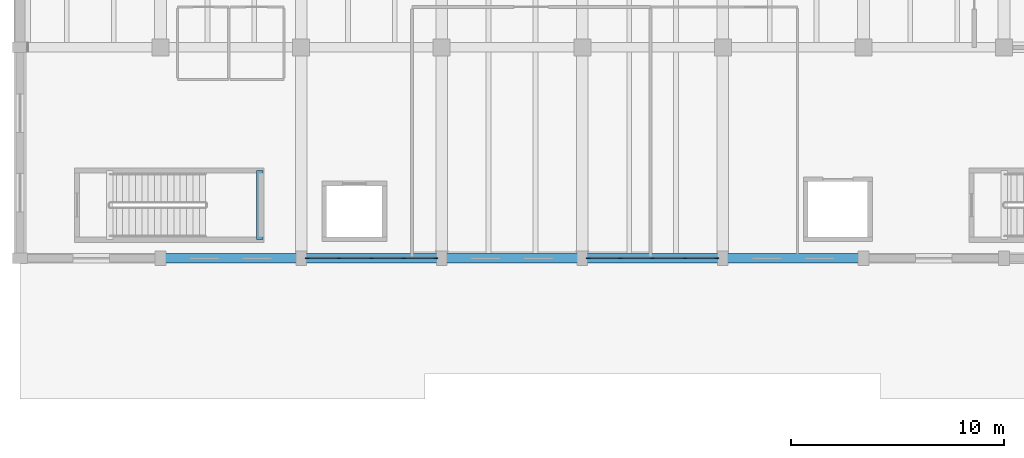
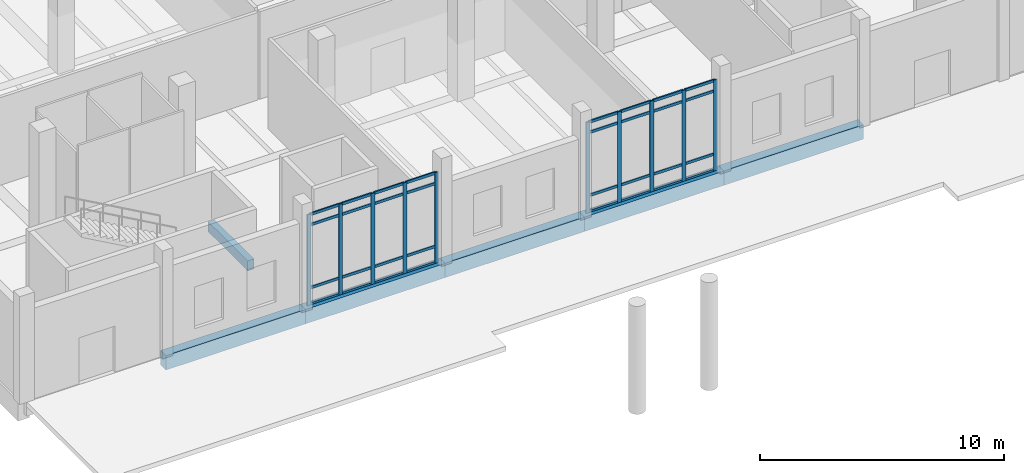
# One storey, part 27 of 72: 42 members, 6 beams, 2 elements without a shape of their own.
"""IFC4 building model written with IfcOpenShell, lengths in metres."""

from ifc_helpers import new_model, si_unit, direction, frame, origin, origin_2d, place, context, subcontext, project, spatial, rectangle, extrude, material, material_profile, profile_set, type_object, element, aggregate, save


model = new_model("IFC4")

# Units and contexts
model_context = context("Model", 3, precision=1e-05, world=origin(), true_north=direction((0.0, 1.0)))
body_context = subcontext(model_context, "Body", "Model", "MODEL_VIEW")
ifc_project = project(units=[si_unit("LENGTHUNIT", "METRE"), si_unit("AREAUNIT", "SQUARE_METRE"), si_unit("VOLUMEUNIT", "CUBIC_METRE"), si_unit("PLANEANGLEUNIT", "RADIAN"), si_unit("MASSUNIT", "GRAM", prefix="KILO")], contexts=[model_context])

# Site, building, storey
site_placement = place(None, origin())
site = spatial("IfcSite", under=ifc_project, at=site_placement, CompositionType="ELEMENT")
building_placement = place(site_placement, origin())
building = spatial("IfcBuilding", under=site, at=building_placement, Name="Dornvale Research Institute", CompositionType="ELEMENT")
storey_placement = place(building_placement, origin())
storey = spatial("IfcBuildingStorey", under=building, at=storey_placement, Name="L00", CompositionType="ELEMENT", Elevation=0.0)

# Beams
ifc_material_1 = material(Name="Concrete f'c 45 MPa (C35/45)", Category="concrete")
ifc_material_profile_1 = material_profile(ifc_material_1, rectangle(XDim=0.300048828125, YDim=0.5, at=origin_2d()), Name="RC 300x500")
ifc_profile_set_1 = profile_set([ifc_material_profile_1], Name="Concrete f'c 45 MPa (C35/45)")
beam_type_1 = type_object("IfcBeamType", Name="Beam_RC300x500_Trim", PredefinedType="BEAM", material=ifc_profile_set_1)
beam_1_placement = place(storey_placement, frame((130.050048828125, 93.280029296875, 2.25), z_axis=(0.0, 1.0, 0.0), x_axis=(-1.0, 0.0, 0.0)))
element("IfcBeam", 1, at=beam_1_placement, inside=storey, type_object=beam_type_1, Name="L00 ST-3 half-landing support beam #56", PredefinedType="BEAM", context=body_context, shape_type="SweptSolid", body=[
    extrude(rectangle(XDim=0.300048828125, YDim=0.5, at=origin_2d()), origin(), (0.0, 0.0, 1.0), 3.239990234375),
])
ifc_material_2 = material(Name="Concrete f'c 45 MPa (C35/45)", Category="concrete")
ifc_material_profile_2 = material_profile(ifc_material_2, rectangle(XDim=0.449951171875, YDim=0.715087890625, at=origin_2d()), Name="RC 450x715")
ifc_profile_set_2 = profile_set([ifc_material_profile_2], Name="Concrete f'c 45 MPa (C35/45)")
beam_type_2 = type_object("IfcBeamType", Name="Beam_RC450x715_Lab", PredefinedType="BEAM", material=ifc_profile_set_2)
for number, where, z_axis, x_axis, name in (
    (2, (125.39990234375, 92.39990234375, -0.357421875), (1.0, 0.0, 0.0), (0.0, 1.0, 0.0), "L00 primary girder #69"),
    (3, (132.0, 92.39990234375, -0.357421875), (1.0, 0.0, 0.0), (0.0, 1.0, 0.0), "L00 primary girder #70"),
):
    element("IfcBeam", number, at=place(storey_placement, frame(where, z_axis=z_axis, x_axis=x_axis)), inside=storey, type_object=beam_type_2, Name=name, PredefinedType="BEAM", context=body_context, shape_type="SweptSolid", body=[
        extrude(rectangle(XDim=0.449951171875, YDim=0.715087890625, at=origin_2d()), origin(), (0.0, 0.0, 1.0), 6.60009765625),
    ])
beam_2_placement = place(storey_placement, frame((138.60009765625, 92.39990234375, -0.357421875), z_axis=(1.0, 0.0, 0.0), x_axis=(0.0, 1.0, 0.0)))
element("IfcBeam", 4, at=beam_2_placement, inside=storey, type_object=beam_type_2, Name="L00 primary girder #71", PredefinedType="BEAM", context=body_context, shape_type="SweptSolid", body=[
    extrude(rectangle(XDim=0.449951171875, YDim=0.715087890625, at=origin_2d()), origin(), (0.0, 0.0, 1.0), 6.599853515625),
])
beam_3_placement = place(storey_placement, frame((145.199951171875, 92.39990234375, -0.357421875), z_axis=(1.0, 0.0, 0.0), x_axis=(0.0, 1.0, 0.0)))
element("IfcBeam", 5, at=beam_3_placement, inside=storey, type_object=beam_type_2, Name="L00 primary girder #72", PredefinedType="BEAM", context=body_context, shape_type="SweptSolid", body=[
    extrude(rectangle(XDim=0.449951171875, YDim=0.715087890625, at=origin_2d()), origin(), (0.0, 0.0, 1.0), 6.60009765625),
])
beam_4_placement = place(storey_placement, frame((151.800048828125, 92.39990234375, -0.357421875), z_axis=(1.0, 0.0, 0.0), x_axis=(0.0, 1.0, 0.0)))
element("IfcBeam", 6, at=beam_4_placement, inside=storey, type_object=beam_type_2, Name="L00 primary girder #73", PredefinedType="BEAM", context=body_context, shape_type="SweptSolid", body=[
    extrude(rectangle(XDim=0.449951171875, YDim=0.715087890625, at=origin_2d()), origin(), (0.0, 0.0, 1.0), 6.599853515625),
])

# Curtain wall, members
ifc_material_3 = material(Name="Low-E Argon Double Insulating Glazing Unit", Category="glass")
curtain_wall_type = type_object("IfcCurtainWallType", Name="UnitisedCurtainWall_V4_6100x4550", PredefinedType="USERDEFINED", material=ifc_material_3)
curtain_wall_1_placement = place(storey_placement, origin())
curtain_wall_1 = element("IfcCurtainWall", 7, at=curtain_wall_1_placement, inside=storey, type_object=curtain_wall_type, Name="L00 V4 unitised curtain wall CW-08 #71", ObjectType="UNITISED CURTAIN WALL", PredefinedType="USERDEFINED")
ifc_material_4 = material(Name="Anodized Aluminum AA 6063-T6 Thermally Broken Frame", Category="aluminium")
ifc_material_profile_3 = material_profile(ifc_material_4, rectangle(XDim=0.06494140625, YDim=0.179931640625, at=origin_2d()), Name="ALU MULLION 65x180")
ifc_profile_set_3 = profile_set([ifc_material_profile_3], Name="Anodized Aluminum AA 6063-T6 Thermally Broken Frame")
member_type_1 = type_object("IfcMemberType", Name="Mullion_CW_65x180", PredefinedType="MULLION", material=ifc_profile_set_3)
member_1_placement = place(storey_placement, frame((151.517578125, 92.39990234375, 0.0), z_axis=(0.0, 0.0, 1.0), x_axis=(0.0, -1.0, 0.0)))
member_1 = element("IfcMember", 8, at=member_1_placement, type_object=member_type_1, Name="CW-08 mullion 1", PredefinedType="MULLION", context=body_context, shape_type="SweptSolid", body=[
    extrude(rectangle(XDim=0.06494140625, YDim=0.179931640625, at=origin_2d()), origin(), (0.0, 0.0, 1.0), 4.550048828125),
])
member_2_placement = place(storey_placement, frame((150.02490234375, 92.39990234375, 0.0), z_axis=(0.0, 0.0, 1.0), x_axis=(0.0, -1.0, 0.0)))
member_2 = element("IfcMember", 9, at=member_2_placement, type_object=member_type_1, Name="CW-08 mullion 2", PredefinedType="MULLION", context=body_context, shape_type="SweptSolid", body=[
    extrude(rectangle(XDim=0.06494140625, YDim=0.179931640625, at=origin_2d()), origin(), (0.0, 0.0, 1.0), 4.550048828125),
])
member_3_placement = place(storey_placement, frame((148.5, 92.39990234375, 0.0), z_axis=(0.0, 0.0, 1.0), x_axis=(0.0, -1.0, 0.0)))
member_3 = element("IfcMember", 10, at=member_3_placement, type_object=member_type_1, Name="CW-08 mullion 3", PredefinedType="MULLION", context=body_context, shape_type="SweptSolid", body=[
    extrude(rectangle(XDim=0.06494140625, YDim=0.179931640625, at=origin_2d()), origin(), (0.0, 0.0, 1.0), 4.550048828125),
])
member_4_placement = place(storey_placement, frame((146.97509765625, 92.39990234375, 0.0), z_axis=(0.0, 0.0, 1.0), x_axis=(0.0, -1.0, 0.0)))
member_4 = element("IfcMember", 11, at=member_4_placement, type_object=member_type_1, Name="CW-08 mullion 4", PredefinedType="MULLION", context=body_context, shape_type="SweptSolid", body=[
    extrude(rectangle(XDim=0.06494140625, YDim=0.179931640625, at=origin_2d()), origin(), (0.0, 0.0, 1.0), 4.550048828125),
])
member_5_placement = place(storey_placement, frame((145.482421875, 92.39990234375, 0.0), z_axis=(0.0, 0.0, 1.0), x_axis=(0.0, -1.0, 0.0)))
member_5 = element("IfcMember", 12, at=member_5_placement, type_object=member_type_1, Name="CW-08 mullion 5", PredefinedType="MULLION", context=body_context, shape_type="SweptSolid", body=[
    extrude(rectangle(XDim=0.06494140625, YDim=0.179931640625, at=origin_2d()), origin(), (0.0, 0.0, 1.0), 4.550048828125),
])

curtain_wall_2_placement = place(storey_placement, origin())
curtain_wall_2 = element("IfcCurtainWall", 13, at=curtain_wall_2_placement, inside=storey, type_object=curtain_wall_type, Name="L00 V4 unitised curtain wall CW-08 #72", ObjectType="UNITISED CURTAIN WALL", PredefinedType="USERDEFINED")
member_6_placement = place(storey_placement, frame((138.3173828125, 92.39990234375, 0.0), z_axis=(0.0, 0.0, 1.0), x_axis=(0.0, -1.0, 0.0)))
member_6 = element("IfcMember", 14, at=member_6_placement, type_object=member_type_1, Name="CW-08 mullion 1", PredefinedType="MULLION", context=body_context, shape_type="SweptSolid", body=[
    extrude(rectangle(XDim=0.06494140625, YDim=0.179931640625, at=origin_2d()), origin(), (0.0, 0.0, 1.0), 4.550048828125),
])
member_7_placement = place(storey_placement, frame((136.824951171875, 92.39990234375, 0.0), z_axis=(0.0, 0.0, 1.0), x_axis=(0.0, -1.0, 0.0)))
member_7 = element("IfcMember", 15, at=member_7_placement, type_object=member_type_1, Name="CW-08 mullion 2", PredefinedType="MULLION", context=body_context, shape_type="SweptSolid", body=[
    extrude(rectangle(XDim=0.06494140625, YDim=0.179931640625, at=origin_2d()), origin(), (0.0, 0.0, 1.0), 4.550048828125),
])
member_8_placement = place(storey_placement, frame((135.300048828125, 92.39990234375, 0.0), z_axis=(0.0, 0.0, 1.0), x_axis=(0.0, -1.0, 0.0)))
member_8 = element("IfcMember", 16, at=member_8_placement, type_object=member_type_1, Name="CW-08 mullion 3", PredefinedType="MULLION", context=body_context, shape_type="SweptSolid", body=[
    extrude(rectangle(XDim=0.06494140625, YDim=0.179931640625, at=origin_2d()), origin(), (0.0, 0.0, 1.0), 4.550048828125),
])
member_9_placement = place(storey_placement, frame((133.77490234375, 92.39990234375, 0.0), z_axis=(0.0, 0.0, 1.0), x_axis=(0.0, -1.0, 0.0)))
member_9 = element("IfcMember", 17, at=member_9_placement, type_object=member_type_1, Name="CW-08 mullion 4", PredefinedType="MULLION", context=body_context, shape_type="SweptSolid", body=[
    extrude(rectangle(XDim=0.06494140625, YDim=0.179931640625, at=origin_2d()), origin(), (0.0, 0.0, 1.0), 4.550048828125),
])
member_10_placement = place(storey_placement, frame((132.282470703125, 92.39990234375, 0.0), z_axis=(0.0, 0.0, 1.0), x_axis=(0.0, -1.0, 0.0)))
member_10 = element("IfcMember", 18, at=member_10_placement, type_object=member_type_1, Name="CW-08 mullion 5", PredefinedType="MULLION", context=body_context, shape_type="SweptSolid", body=[
    extrude(rectangle(XDim=0.06494140625, YDim=0.179931640625, at=origin_2d()), origin(), (0.0, 0.0, 1.0), 4.550048828125),
])

# Member
ifc_material_5 = material(Name="Anodized Aluminum AA 6063-T6 Thermally Broken Frame", Category="aluminium")
ifc_material_profile_4 = material_profile(ifc_material_5, rectangle(XDim=0.06494140625, YDim=0.135009765625, at=origin_2d()), Name="ALU TRANSOM 65x135")
ifc_profile_set_4 = profile_set([ifc_material_profile_4], Name="Anodized Aluminum AA 6063-T6 Thermally Broken Frame")
member_type_2 = type_object("IfcMemberType", Name="Transom_CW_65x135", PredefinedType="USERDEFINED", material=ifc_profile_set_4)
member_11_placement = place(storey_placement, frame((151.485107421875, 92.39990234375, 0.032470703125), z_axis=(-1.0, 0.0, 0.0), x_axis=(0.0, -1.0, 0.0)))
member_11 = element("IfcMember", 19, at=member_11_placement, type_object=member_type_2, Name="CW-08 transom 1.1", ObjectType="TRANSOM", PredefinedType="USERDEFINED", context=body_context, shape_type="SweptSolid", body=[
    extrude(rectangle(XDim=0.06494140625, YDim=0.135009765625, at=origin_2d()), origin(), (0.0, 0.0, 1.0), 1.427490234375),
])

member_12_placement = place(storey_placement, frame((151.485107421875, 92.39990234375, 0.85009765625), z_axis=(-1.0, 0.0, 0.0), x_axis=(0.0, -1.0, 0.0)))
member_12 = element("IfcMember", 20, at=member_12_placement, type_object=member_type_2, Name="CW-08 transom 1.2", ObjectType="TRANSOM", PredefinedType="USERDEFINED", context=body_context, shape_type="SweptSolid", body=[
    extrude(rectangle(XDim=0.06494140625, YDim=0.135009765625, at=origin_2d()), origin(), (0.0, 0.0, 1.0), 1.427490234375),
])

member_13_placement = place(storey_placement, frame((151.485107421875, 92.39990234375, 4.0), z_axis=(-1.0, 0.0, 0.0), x_axis=(0.0, -1.0, 0.0)))
member_13 = element("IfcMember", 21, at=member_13_placement, type_object=member_type_2, Name="CW-08 transom 1.3", ObjectType="TRANSOM", PredefinedType="USERDEFINED", context=body_context, shape_type="SweptSolid", body=[
    extrude(rectangle(XDim=0.06494140625, YDim=0.135009765625, at=origin_2d()), origin(), (0.0, 0.0, 1.0), 1.427490234375),
])

member_14_placement = place(storey_placement, frame((151.485107421875, 92.39990234375, 4.517578125), z_axis=(-1.0, 0.0, 0.0), x_axis=(0.0, -1.0, 0.0)))
member_14 = element("IfcMember", 22, at=member_14_placement, type_object=member_type_2, Name="CW-08 transom 1.4", ObjectType="TRANSOM", PredefinedType="USERDEFINED", context=body_context, shape_type="SweptSolid", body=[
    extrude(rectangle(XDim=0.06494140625, YDim=0.135009765625, at=origin_2d()), origin(), (0.0, 0.0, 1.0), 1.427490234375),
])

member_15_placement = place(storey_placement, frame((149.992431640625, 92.39990234375, 0.032470703125), z_axis=(-1.0, 0.0, 0.0), x_axis=(0.0, -1.0, 0.0)))
member_15 = element("IfcMember", 23, at=member_15_placement, type_object=member_type_2, Name="CW-08 transom 2.1", ObjectType="TRANSOM", PredefinedType="USERDEFINED", context=body_context, shape_type="SweptSolid", body=[
    extrude(rectangle(XDim=0.06494140625, YDim=0.135009765625, at=origin_2d()), origin(), (0.0, 0.0, 1.0), 1.4599609375),
])

member_16_placement = place(storey_placement, frame((149.992431640625, 92.39990234375, 0.85009765625), z_axis=(-1.0, 0.0, 0.0), x_axis=(0.0, -1.0, 0.0)))
member_16 = element("IfcMember", 24, at=member_16_placement, type_object=member_type_2, Name="CW-08 transom 2.2", ObjectType="TRANSOM", PredefinedType="USERDEFINED", context=body_context, shape_type="SweptSolid", body=[
    extrude(rectangle(XDim=0.06494140625, YDim=0.135009765625, at=origin_2d()), origin(), (0.0, 0.0, 1.0), 1.4599609375),
])

member_17_placement = place(storey_placement, frame((149.992431640625, 92.39990234375, 4.0), z_axis=(-1.0, 0.0, 0.0), x_axis=(0.0, -1.0, 0.0)))
member_17 = element("IfcMember", 25, at=member_17_placement, type_object=member_type_2, Name="CW-08 transom 2.3", ObjectType="TRANSOM", PredefinedType="USERDEFINED", context=body_context, shape_type="SweptSolid", body=[
    extrude(rectangle(XDim=0.06494140625, YDim=0.135009765625, at=origin_2d()), origin(), (0.0, 0.0, 1.0), 1.4599609375),
])

member_18_placement = place(storey_placement, frame((149.992431640625, 92.39990234375, 4.517578125), z_axis=(-1.0, 0.0, 0.0), x_axis=(0.0, -1.0, 0.0)))
member_18 = element("IfcMember", 26, at=member_18_placement, type_object=member_type_2, Name="CW-08 transom 2.4", ObjectType="TRANSOM", PredefinedType="USERDEFINED", context=body_context, shape_type="SweptSolid", body=[
    extrude(rectangle(XDim=0.06494140625, YDim=0.135009765625, at=origin_2d()), origin(), (0.0, 0.0, 1.0), 1.4599609375),
])

member_19_placement = place(storey_placement, frame((148.467529296875, 92.39990234375, 0.032470703125), z_axis=(-1.0, 0.0, 0.0), x_axis=(0.0, -1.0, 0.0)))
member_19 = element("IfcMember", 27, at=member_19_placement, type_object=member_type_2, Name="CW-08 transom 3.1", ObjectType="TRANSOM", PredefinedType="USERDEFINED", context=body_context, shape_type="SweptSolid", body=[
    extrude(rectangle(XDim=0.06494140625, YDim=0.135009765625, at=origin_2d()), origin(), (0.0, 0.0, 1.0), 1.4599609375),
])

member_20_placement = place(storey_placement, frame((148.467529296875, 92.39990234375, 0.85009765625), z_axis=(-1.0, 0.0, 0.0), x_axis=(0.0, -1.0, 0.0)))
member_20 = element("IfcMember", 28, at=member_20_placement, type_object=member_type_2, Name="CW-08 transom 3.2", ObjectType="TRANSOM", PredefinedType="USERDEFINED", context=body_context, shape_type="SweptSolid", body=[
    extrude(rectangle(XDim=0.06494140625, YDim=0.135009765625, at=origin_2d()), origin(), (0.0, 0.0, 1.0), 1.4599609375),
])

member_21_placement = place(storey_placement, frame((148.467529296875, 92.39990234375, 4.0), z_axis=(-1.0, 0.0, 0.0), x_axis=(0.0, -1.0, 0.0)))
member_21 = element("IfcMember", 29, at=member_21_placement, type_object=member_type_2, Name="CW-08 transom 3.3", ObjectType="TRANSOM", PredefinedType="USERDEFINED", context=body_context, shape_type="SweptSolid", body=[
    extrude(rectangle(XDim=0.06494140625, YDim=0.135009765625, at=origin_2d()), origin(), (0.0, 0.0, 1.0), 1.4599609375),
])

member_22_placement = place(storey_placement, frame((148.467529296875, 92.39990234375, 4.517578125), z_axis=(-1.0, 0.0, 0.0), x_axis=(0.0, -1.0, 0.0)))
member_22 = element("IfcMember", 30, at=member_22_placement, type_object=member_type_2, Name="CW-08 transom 3.4", ObjectType="TRANSOM", PredefinedType="USERDEFINED", context=body_context, shape_type="SweptSolid", body=[
    extrude(rectangle(XDim=0.06494140625, YDim=0.135009765625, at=origin_2d()), origin(), (0.0, 0.0, 1.0), 1.4599609375),
])

member_23_placement = place(storey_placement, frame((146.9423828125, 92.39990234375, 0.032470703125), z_axis=(-1.0, 0.0, 0.0), x_axis=(0.0, -1.0, 0.0)))
member_23 = element("IfcMember", 31, at=member_23_placement, type_object=member_type_2, Name="CW-08 transom 4.1", ObjectType="TRANSOM", PredefinedType="USERDEFINED", context=body_context, shape_type="SweptSolid", body=[
    extrude(rectangle(XDim=0.06494140625, YDim=0.135009765625, at=origin_2d()), origin(), (0.0, 0.0, 1.0), 1.427490234375),
])

member_24_placement = place(storey_placement, frame((146.9423828125, 92.39990234375, 0.85009765625), z_axis=(-1.0, 0.0, 0.0), x_axis=(0.0, -1.0, 0.0)))
member_24 = element("IfcMember", 32, at=member_24_placement, type_object=member_type_2, Name="CW-08 transom 4.2", ObjectType="TRANSOM", PredefinedType="USERDEFINED", context=body_context, shape_type="SweptSolid", body=[
    extrude(rectangle(XDim=0.06494140625, YDim=0.135009765625, at=origin_2d()), origin(), (0.0, 0.0, 1.0), 1.427490234375),
])

member_25_placement = place(storey_placement, frame((146.9423828125, 92.39990234375, 4.0), z_axis=(-1.0, 0.0, 0.0), x_axis=(0.0, -1.0, 0.0)))
member_25 = element("IfcMember", 33, at=member_25_placement, type_object=member_type_2, Name="CW-08 transom 4.3", ObjectType="TRANSOM", PredefinedType="USERDEFINED", context=body_context, shape_type="SweptSolid", body=[
    extrude(rectangle(XDim=0.06494140625, YDim=0.135009765625, at=origin_2d()), origin(), (0.0, 0.0, 1.0), 1.427490234375),
])

member_26_placement = place(storey_placement, frame((146.9423828125, 92.39990234375, 4.517578125), z_axis=(-1.0, 0.0, 0.0), x_axis=(0.0, -1.0, 0.0)))
member_26 = element("IfcMember", 34, at=member_26_placement, type_object=member_type_2, Name="CW-08 transom 4.4", ObjectType="TRANSOM", PredefinedType="USERDEFINED", context=body_context, shape_type="SweptSolid", body=[
    extrude(rectangle(XDim=0.06494140625, YDim=0.135009765625, at=origin_2d()), origin(), (0.0, 0.0, 1.0), 1.427490234375),
])

aggregate(curtain_wall_1, [member_1, member_2, member_3, member_4, member_5, member_11, member_12, member_13, member_14, member_15, member_16, member_17, member_18, member_19, member_20, member_21, member_22, member_23, member_24, member_25, member_26])

member_27_placement = place(storey_placement, frame((138.284912109375, 92.39990234375, 0.032470703125), z_axis=(-1.0, 0.0, 0.0), x_axis=(0.0, -1.0, 0.0)))
member_27 = element("IfcMember", 35, at=member_27_placement, type_object=member_type_2, Name="CW-08 transom 1.1", ObjectType="TRANSOM", PredefinedType="USERDEFINED", context=body_context, shape_type="SweptSolid", body=[
    extrude(rectangle(XDim=0.06494140625, YDim=0.135009765625, at=origin_2d()), origin(), (0.0, 0.0, 1.0), 1.427490234375),
])

member_28_placement = place(storey_placement, frame((138.284912109375, 92.39990234375, 0.85009765625), z_axis=(-1.0, 0.0, 0.0), x_axis=(0.0, -1.0, 0.0)))
member_28 = element("IfcMember", 36, at=member_28_placement, type_object=member_type_2, Name="CW-08 transom 1.2", ObjectType="TRANSOM", PredefinedType="USERDEFINED", context=body_context, shape_type="SweptSolid", body=[
    extrude(rectangle(XDim=0.06494140625, YDim=0.135009765625, at=origin_2d()), origin(), (0.0, 0.0, 1.0), 1.427490234375),
])

member_29_placement = place(storey_placement, frame((138.284912109375, 92.39990234375, 4.0), z_axis=(-1.0, 0.0, 0.0), x_axis=(0.0, -1.0, 0.0)))
member_29 = element("IfcMember", 37, at=member_29_placement, type_object=member_type_2, Name="CW-08 transom 1.3", ObjectType="TRANSOM", PredefinedType="USERDEFINED", context=body_context, shape_type="SweptSolid", body=[
    extrude(rectangle(XDim=0.06494140625, YDim=0.135009765625, at=origin_2d()), origin(), (0.0, 0.0, 1.0), 1.427490234375),
])

member_30_placement = place(storey_placement, frame((138.284912109375, 92.39990234375, 4.517578125), z_axis=(-1.0, 0.0, 0.0), x_axis=(0.0, -1.0, 0.0)))
member_30 = element("IfcMember", 38, at=member_30_placement, type_object=member_type_2, Name="CW-08 transom 1.4", ObjectType="TRANSOM", PredefinedType="USERDEFINED", context=body_context, shape_type="SweptSolid", body=[
    extrude(rectangle(XDim=0.06494140625, YDim=0.135009765625, at=origin_2d()), origin(), (0.0, 0.0, 1.0), 1.427490234375),
])

member_31_placement = place(storey_placement, frame((136.79248046875, 92.39990234375, 0.032470703125), z_axis=(-1.0, 0.0, 0.0), x_axis=(0.0, -1.0, 0.0)))
member_31 = element("IfcMember", 39, at=member_31_placement, type_object=member_type_2, Name="CW-08 transom 2.1", ObjectType="TRANSOM", PredefinedType="USERDEFINED", context=body_context, shape_type="SweptSolid", body=[
    extrude(rectangle(XDim=0.06494140625, YDim=0.135009765625, at=origin_2d()), origin(), (0.0, 0.0, 1.0), 1.4599609375),
])

member_32_placement = place(storey_placement, frame((136.79248046875, 92.39990234375, 0.85009765625), z_axis=(-1.0, 0.0, 0.0), x_axis=(0.0, -1.0, 0.0)))
member_32 = element("IfcMember", 40, at=member_32_placement, type_object=member_type_2, Name="CW-08 transom 2.2", ObjectType="TRANSOM", PredefinedType="USERDEFINED", context=body_context, shape_type="SweptSolid", body=[
    extrude(rectangle(XDim=0.06494140625, YDim=0.135009765625, at=origin_2d()), origin(), (0.0, 0.0, 1.0), 1.4599609375),
])

member_33_placement = place(storey_placement, frame((136.79248046875, 92.39990234375, 4.0), z_axis=(-1.0, 0.0, 0.0), x_axis=(0.0, -1.0, 0.0)))
member_33 = element("IfcMember", 41, at=member_33_placement, type_object=member_type_2, Name="CW-08 transom 2.3", ObjectType="TRANSOM", PredefinedType="USERDEFINED", context=body_context, shape_type="SweptSolid", body=[
    extrude(rectangle(XDim=0.06494140625, YDim=0.135009765625, at=origin_2d()), origin(), (0.0, 0.0, 1.0), 1.4599609375),
])

member_34_placement = place(storey_placement, frame((136.79248046875, 92.39990234375, 4.517578125), z_axis=(-1.0, 0.0, 0.0), x_axis=(0.0, -1.0, 0.0)))
member_34 = element("IfcMember", 42, at=member_34_placement, type_object=member_type_2, Name="CW-08 transom 2.4", ObjectType="TRANSOM", PredefinedType="USERDEFINED", context=body_context, shape_type="SweptSolid", body=[
    extrude(rectangle(XDim=0.06494140625, YDim=0.135009765625, at=origin_2d()), origin(), (0.0, 0.0, 1.0), 1.4599609375),
])

member_35_placement = place(storey_placement, frame((135.267578125, 92.39990234375, 0.032470703125), z_axis=(-1.0, 0.0, 0.0), x_axis=(0.0, -1.0, 0.0)))
member_35 = element("IfcMember", 43, at=member_35_placement, type_object=member_type_2, Name="CW-08 transom 3.1", ObjectType="TRANSOM", PredefinedType="USERDEFINED", context=body_context, shape_type="SweptSolid", body=[
    extrude(rectangle(XDim=0.06494140625, YDim=0.135009765625, at=origin_2d()), origin(), (0.0, 0.0, 1.0), 1.4599609375),
])

member_36_placement = place(storey_placement, frame((135.267578125, 92.39990234375, 0.85009765625), z_axis=(-1.0, 0.0, 0.0), x_axis=(0.0, -1.0, 0.0)))
member_36 = element("IfcMember", 44, at=member_36_placement, type_object=member_type_2, Name="CW-08 transom 3.2", ObjectType="TRANSOM", PredefinedType="USERDEFINED", context=body_context, shape_type="SweptSolid", body=[
    extrude(rectangle(XDim=0.06494140625, YDim=0.135009765625, at=origin_2d()), origin(), (0.0, 0.0, 1.0), 1.4599609375),
])

member_37_placement = place(storey_placement, frame((135.267578125, 92.39990234375, 4.0), z_axis=(-1.0, 0.0, 0.0), x_axis=(0.0, -1.0, 0.0)))
member_37 = element("IfcMember", 45, at=member_37_placement, type_object=member_type_2, Name="CW-08 transom 3.3", ObjectType="TRANSOM", PredefinedType="USERDEFINED", context=body_context, shape_type="SweptSolid", body=[
    extrude(rectangle(XDim=0.06494140625, YDim=0.135009765625, at=origin_2d()), origin(), (0.0, 0.0, 1.0), 1.4599609375),
])

member_38_placement = place(storey_placement, frame((135.267578125, 92.39990234375, 4.517578125), z_axis=(-1.0, 0.0, 0.0), x_axis=(0.0, -1.0, 0.0)))
member_38 = element("IfcMember", 46, at=member_38_placement, type_object=member_type_2, Name="CW-08 transom 3.4", ObjectType="TRANSOM", PredefinedType="USERDEFINED", context=body_context, shape_type="SweptSolid", body=[
    extrude(rectangle(XDim=0.06494140625, YDim=0.135009765625, at=origin_2d()), origin(), (0.0, 0.0, 1.0), 1.4599609375),
])

member_39_placement = place(storey_placement, frame((133.742431640625, 92.39990234375, 0.032470703125), z_axis=(-1.0, 0.0, 0.0), x_axis=(0.0, -1.0, 0.0)))
member_39 = element("IfcMember", 47, at=member_39_placement, type_object=member_type_2, Name="CW-08 transom 4.1", ObjectType="TRANSOM", PredefinedType="USERDEFINED", context=body_context, shape_type="SweptSolid", body=[
    extrude(rectangle(XDim=0.06494140625, YDim=0.135009765625, at=origin_2d()), origin(), (0.0, 0.0, 1.0), 1.427490234375),
])

member_40_placement = place(storey_placement, frame((133.742431640625, 92.39990234375, 0.85009765625), z_axis=(-1.0, 0.0, 0.0), x_axis=(0.0, -1.0, 0.0)))
member_40 = element("IfcMember", 48, at=member_40_placement, type_object=member_type_2, Name="CW-08 transom 4.2", ObjectType="TRANSOM", PredefinedType="USERDEFINED", context=body_context, shape_type="SweptSolid", body=[
    extrude(rectangle(XDim=0.06494140625, YDim=0.135009765625, at=origin_2d()), origin(), (0.0, 0.0, 1.0), 1.427490234375),
])

member_41_placement = place(storey_placement, frame((133.742431640625, 92.39990234375, 4.0), z_axis=(-1.0, 0.0, 0.0), x_axis=(0.0, -1.0, 0.0)))
member_41 = element("IfcMember", 49, at=member_41_placement, type_object=member_type_2, Name="CW-08 transom 4.3", ObjectType="TRANSOM", PredefinedType="USERDEFINED", context=body_context, shape_type="SweptSolid", body=[
    extrude(rectangle(XDim=0.06494140625, YDim=0.135009765625, at=origin_2d()), origin(), (0.0, 0.0, 1.0), 1.427490234375),
])

member_42_placement = place(storey_placement, frame((133.742431640625, 92.39990234375, 4.517578125), z_axis=(-1.0, 0.0, 0.0), x_axis=(0.0, -1.0, 0.0)))
member_42 = element("IfcMember", 50, at=member_42_placement, type_object=member_type_2, Name="CW-08 transom 4.4", ObjectType="TRANSOM", PredefinedType="USERDEFINED", context=body_context, shape_type="SweptSolid", body=[
    extrude(rectangle(XDim=0.06494140625, YDim=0.135009765625, at=origin_2d()), origin(), (0.0, 0.0, 1.0), 1.427490234375),
])

aggregate(curtain_wall_2, [member_6, member_7, member_8, member_9, member_10, member_27, member_28, member_29, member_30, member_31, member_32, member_33, member_34, member_35, member_36, member_37, member_38, member_39, member_40, member_41, member_42])

save(model, "model.ifc")
